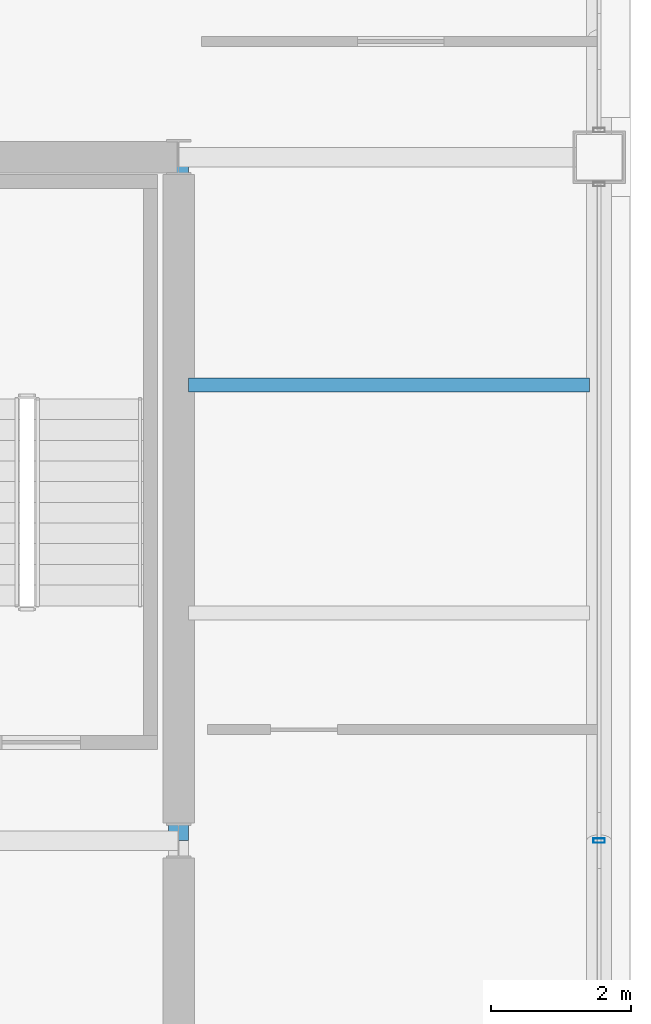
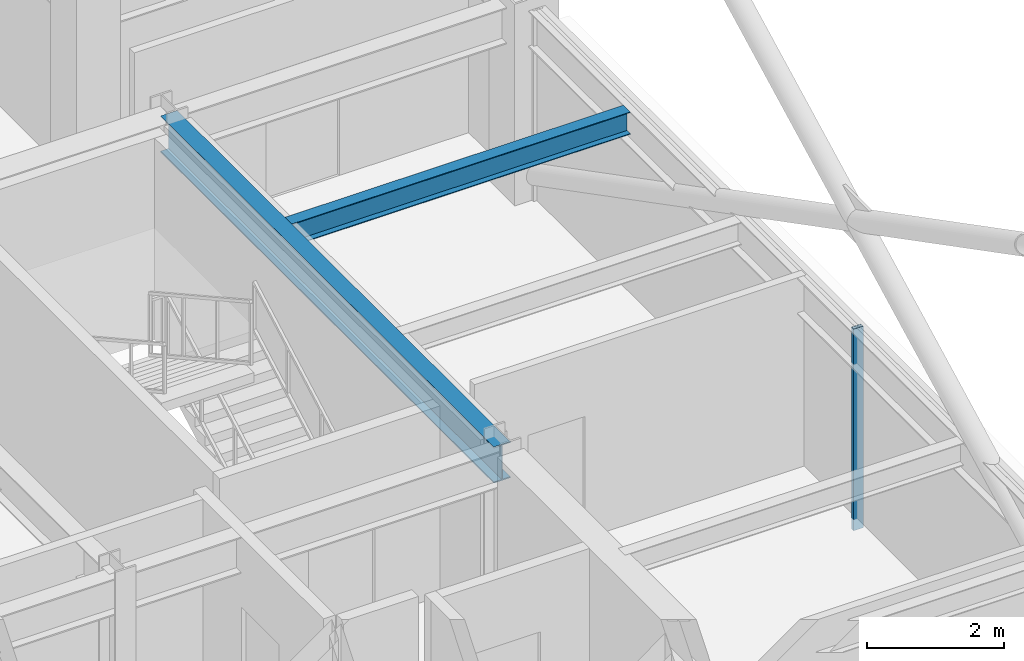
# One storey, part 16 of 30: 2 beams, 1 member, 1 element without a shape of its own.
"""IFC4 building model written with IfcOpenShell, lengths in metres."""

from ifc_helpers import new_model, si_unit, direction, frame, origin, origin_2d, place, context, subcontext, project, spatial, hollow_rectangle, i_section, extrude, material, layer, layer_set, material_profile, profile_set, type_object, element, aggregate, save


model = new_model("IFC4")

# Units and contexts
model_context = context("Model", 3, precision=1e-05, world=origin(), true_north=direction((0.0, 1.0)))
body_context = subcontext(model_context, "Body", "Model", "MODEL_VIEW")
ifc_project = project(units=[si_unit("LENGTHUNIT", "METRE"), si_unit("AREAUNIT", "SQUARE_METRE"), si_unit("VOLUMEUNIT", "CUBIC_METRE"), si_unit("PLANEANGLEUNIT", "RADIAN"), si_unit("MASSUNIT", "GRAM", prefix="KILO")], contexts=[model_context])

# Site, building, storey
site_placement = place(None, origin())
site = spatial("IfcSite", under=ifc_project, at=site_placement, CompositionType="ELEMENT")
building_placement = place(site_placement, origin())
building = spatial("IfcBuilding", under=site, at=building_placement, Name="Brelmoor Portico Tower", CompositionType="ELEMENT")
storey_placement = place(building_placement, frame((0.0, 0.0, 173.10009765625)))
storey = spatial("IfcBuildingStorey", under=building, at=storey_placement, Name="L45", CompositionType="ELEMENT", Elevation=173.10009765625)

# Beams
ifc_material_1 = material(Name="Steel Q355B", Category="steel")
ifc_material_profile_1 = material_profile(ifc_material_1, i_section(OverallWidth=0.199951171875, OverallDepth=0.39990234375, WebThickness=0.008056640625, FlangeThickness=0.012939453125, at=origin_2d()), Name="HN 400x200x8x13")
ifc_profile_set_1 = profile_set([ifc_material_profile_1], Name="Steel Q355B")
beam_type_1 = type_object("IfcBeamType", Name="BM-JS-400", PredefinedType="JOIST", material=ifc_profile_set_1)
beam_1_placement = place(storey_placement, frame((14.68994140625, 6.5, 3.199951171875), z_axis=(1.0, 0.0, 0.0), x_axis=(0.0, 1.0, 0.0)))
element("IfcBeam", 1, at=beam_1_placement, inside=storey, type_object=beam_type_1, Name="L45 Secondary Wing Joist JS-E12", PredefinedType="JOIST", context=body_context, shape_type="SweptSolid", body=[
    extrude(i_section(OverallWidth=0.199951171875, OverallDepth=0.39990234375, WebThickness=0.008056640625, FlangeThickness=0.012939453125, at=origin_2d()), origin(), (0.0, 0.0, 1.0), 5.719970703125),
])
ifc_material_profile_2 = material_profile(ifc_material_1, i_section(OverallWidth=0.280029296875, OverallDepth=0.64990234375, WebThickness=0.012939453125, FlangeThickness=0.02197265625, at=origin_2d()), Name="HN 650x280x13x22")
ifc_profile_set_2 = profile_set([ifc_material_profile_2], Name="Steel Q355B")
beam_type_2 = type_object("IfcBeamType", Name="BM-PG-650", PredefinedType="BEAM", material=ifc_profile_set_2)
beam_2_placement = place(storey_placement, frame((14.550048828125, 0.0, 3.074951171875), z_axis=(0.0, 1.0, 0.0), x_axis=(-1.0, 0.0, 0.0)))
element("IfcBeam", 2, at=beam_2_placement, inside=storey, type_object=beam_type_2, Name="L45 Primary Floor Girder PG-10", PredefinedType="BEAM", context=body_context, shape_type="SweptSolid", body=[
    extrude(i_section(OverallWidth=0.280029296875, OverallDepth=0.64990234375, WebThickness=0.012939453125, FlangeThickness=0.02197265625, at=origin_2d()), origin(), (0.0, 0.0, 1.0), 9.75),
])

# Curtain wall, member
ifc_material_2 = material(Name="Anodised Aluminium Alloy 6063-T6", Category="aluminium")
ifc_layer = layer(ifc_material_2, 0.179931640625)
ifc_layer_set = layer_set([ifc_layer], Name="Anodised Aluminium Alloy 6063-T6")
curtain_wall_type = type_object("IfcCurtainWallType", Name="CW-TOWER-Z3-XB", PredefinedType="NOTDEFINED", material=ifc_layer_set)
curtain_wall_placement = place(storey_placement, origin())
curtain_wall = element("IfcCurtainWall", 3, at=curtain_wall_placement, inside=storey, type_object=curtain_wall_type, Name="L45 Curtain Wall CW-L45-04-2", PredefinedType="NOTDEFINED")
ifc_material_profile_3 = material_profile(ifc_material_2, hollow_rectangle(XDim=0.06494140625, YDim=0.1650390625, WallThickness=0.00390625, at=origin_2d()), Name="ALU MULLION 65x165")
ifc_profile_set_3 = profile_set([ifc_material_profile_3], Name="Anodised Aluminium Alloy 6063-T6")
member_type = type_object("IfcMemberType", Name="MB-CW-MULL-165", PredefinedType="MULLION", material=ifc_profile_set_3)
member_placement = place(storey_placement, frame((20.550048828125, 0.0, -0.2001953125), z_axis=(0.0, 0.0, 1.0), x_axis=(0.0, 1.0, 0.0)))
member = element("IfcMember", 4, at=member_placement, type_object=member_type, Name="CW-L45-04-2 Mullion 01", PredefinedType="MULLION", context=body_context, shape_type="SweptSolid", body=[
    extrude(hollow_rectangle(XDim=0.06494140625, YDim=0.1650390625, WallThickness=0.00390625, at=origin_2d()), origin(), (0.0, 0.0, 1.0), 3.60009765625),
])
aggregate(curtain_wall, [member])

save(model, "model.ifc")
